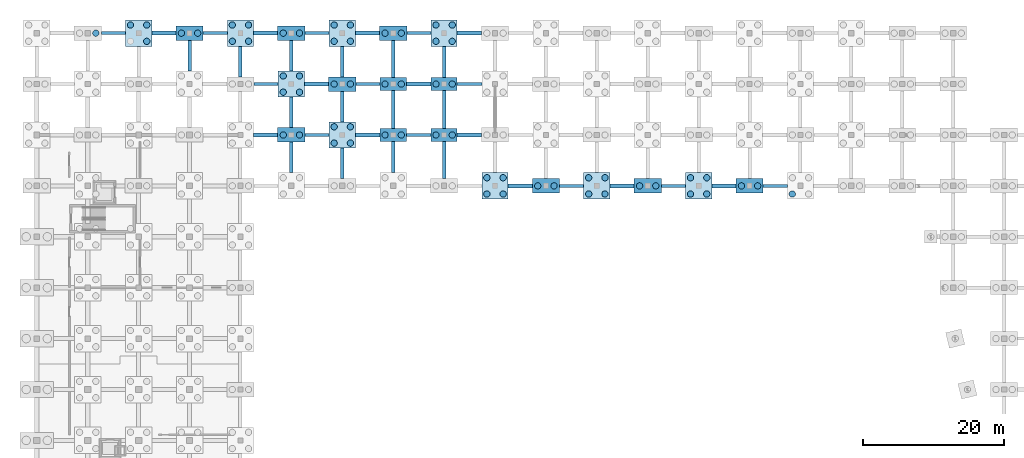
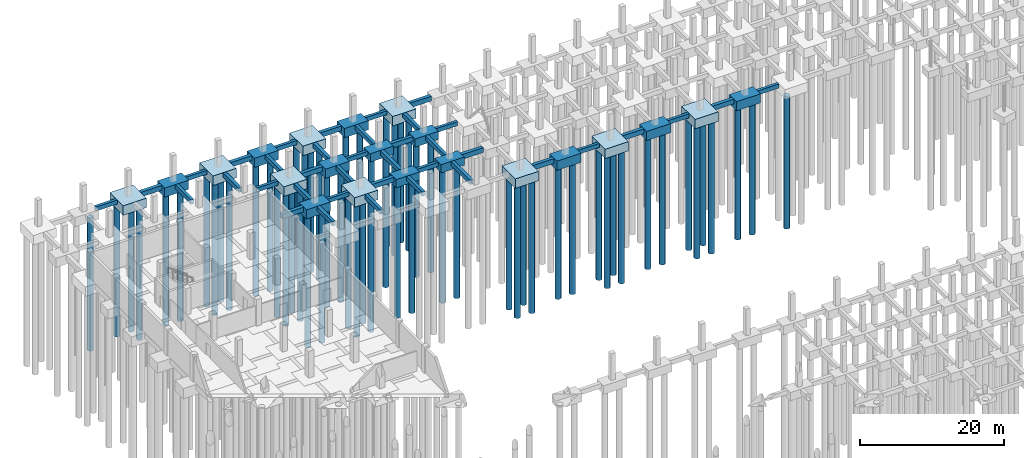
# One storey, part 8 of 36: 61 piles, 59 footings.
"""IFC4 building model written with IfcOpenShell, lengths in metres."""

from ifc_helpers import new_model, si_unit, direction, frame, origin, origin_2d, place, context, subcontext, project, spatial, rectangle, circle, extrude, material, material_profile, profile_set, type_object, element, save


model = new_model("IFC4")

# Units and contexts
model_context = context("Model", 3, precision=1e-05, world=origin(), true_north=direction((0.0, 1.0)))
body_context = subcontext(model_context, "Body", "Model", "MODEL_VIEW")
ifc_project = project(units=[si_unit("LENGTHUNIT", "METRE"), si_unit("AREAUNIT", "SQUARE_METRE"), si_unit("VOLUMEUNIT", "CUBIC_METRE"), si_unit("PLANEANGLEUNIT", "RADIAN"), si_unit("MASSUNIT", "GRAM", prefix="KILO")], contexts=[model_context])

# Site, building, storey
site_placement = place(None, origin())
site = spatial("IfcSite", under=ifc_project, at=site_placement, CompositionType="ELEMENT")
building_placement = place(site_placement, origin())
building = spatial("IfcBuilding", under=site, at=building_placement, Name="Kalmorath City Hall", CompositionType="ELEMENT")
storey_placement = place(building_placement, frame((0.0, 0.0, -4.5)))
storey = spatial("IfcBuildingStorey", under=building, at=storey_placement, Name="B1", CompositionType="ELEMENT", Elevation=-4.5)

# Piles
ifc_material_1 = material(Name="Concrete C40/50", Category="concrete")
ifc_material_profile_1 = material_profile(ifc_material_1, circle(Radius=0.449951171875, at=origin_2d()), Name="PILE-D900")
ifc_profile_set_1 = profile_set([ifc_material_profile_1], Name="Concrete C40/50")
pile_type = type_object("IfcPileType", Name="Bored concrete pile D900", PredefinedType="BORED", material=ifc_profile_set_1)
pile_1_placement = place(storey_placement, frame((8.35009765625, 115.199951171875, -1.449951171875), z_axis=(0.0, 0.0, -1.0), x_axis=(1.0, 0.0, 0.0)))
element("IfcPile", 1, at=pile_1_placement, inside=storey, type_object=pile_type, Name="Bored pile PL-900 2.17.2", PredefinedType="BORED", context=body_context, shape_type="SweptSolid", body=[
    extrude(circle(Radius=0.449951171875, at=origin_2d()), origin(), (0.0, 0.0, 1.0), 22.550048828125),
])
for number, where, z_axis, x_axis, name in (
    (2, (15.550048828125, 114.050048828125, -1.5), (0.0, 0.0, -1.0), (1.0, 0.0, 0.0), "Bored pile PL-900 3.17.2"),
    (3, (13.25, 116.35009765625, -1.5), (0.0, 0.0, -1.0), (1.0, 0.0, 0.0), "Bored pile PL-900 3.17.3"),
    (4, (15.550048828125, 116.35009765625, -1.5), (0.0, 0.0, -1.0), (1.0, 0.0, 0.0), "Bored pile PL-900 3.17.4"),
):
    element("IfcPile", number, at=place(storey_placement, frame(where, z_axis=z_axis, x_axis=x_axis)), inside=storey, type_object=pile_type, Name=name, PredefinedType="BORED", context=body_context, shape_type="SweptSolid", body=[
        extrude(circle(Radius=0.449951171875, at=origin_2d()), origin(), (0.0, 0.0, 1.0), 22.5),
    ])
for number, where, z_axis, x_axis, name in (
    (5, (20.449951171875, 115.199951171875, -1.449951171875), (0.0, 0.0, -1.0), (1.0, 0.0, 0.0), "Bored pile PL-900 4.17.1"),
    (6, (22.75, 115.199951171875, -1.449951171875), (0.0, 0.0, -1.0), (1.0, 0.0, 0.0), "Bored pile PL-900 4.17.2"),
):
    element("IfcPile", number, at=place(storey_placement, frame(where, z_axis=z_axis, x_axis=x_axis)), inside=storey, type_object=pile_type, Name=name, PredefinedType="BORED", context=body_context, shape_type="SweptSolid", body=[
        extrude(circle(Radius=0.449951171875, at=origin_2d()), origin(), (0.0, 0.0, 1.0), 22.550048828125),
    ])
for number, where, z_axis, x_axis, name in (
    (7, (27.64990234375, 114.050048828125, -1.5), (0.0, 0.0, -1.0), (1.0, 0.0, 0.0), "Bored pile PL-900 5.17.1"),
    (8, (29.949951171875, 114.050048828125, -1.5), (0.0, 0.0, -1.0), (1.0, 0.0, 0.0), "Bored pile PL-900 5.17.2"),
    (9, (27.64990234375, 116.35009765625, -1.5), (0.0, 0.0, -1.0), (1.0, 0.0, 0.0), "Bored pile PL-900 5.17.3"),
    (10, (29.949951171875, 116.35009765625, -1.5), (0.0, 0.0, -1.0), (1.0, 0.0, 0.0), "Bored pile PL-900 5.17.4"),
):
    element("IfcPile", number, at=place(storey_placement, frame(where, z_axis=z_axis, x_axis=x_axis)), inside=storey, type_object=pile_type, Name=name, PredefinedType="BORED", context=body_context, shape_type="SweptSolid", body=[
        extrude(circle(Radius=0.449951171875, at=origin_2d()), origin(), (0.0, 0.0, 1.0), 22.5),
    ])
for number, where, z_axis, x_axis, name in (
    (11, (34.85009765625, 100.800048828125, -1.449951171875), (0.0, 0.0, -1.0), (1.0, 0.0, 0.0), "Bored pile PL-900 6.15.1"),
    (12, (37.14990234375, 100.800048828125, -1.449951171875), (0.0, 0.0, -1.0), (1.0, 0.0, 0.0), "Bored pile PL-900 6.15.2"),
):
    element("IfcPile", number, at=place(storey_placement, frame(where, z_axis=z_axis, x_axis=x_axis)), inside=storey, type_object=pile_type, Name=name, PredefinedType="BORED", context=body_context, shape_type="SweptSolid", body=[
        extrude(circle(Radius=0.449951171875, at=origin_2d()), origin(), (0.0, 0.0, 1.0), 22.550048828125),
    ])
for number, where, z_axis, x_axis, name in (
    (13, (34.85009765625, 106.85009765625, -1.5), (0.0, 0.0, -1.0), (1.0, 0.0, 0.0), "Bored pile PL-900 6.16.1"),
    (14, (37.14990234375, 106.85009765625, -1.5), (0.0, 0.0, -1.0), (1.0, 0.0, 0.0), "Bored pile PL-900 6.16.2"),
    (15, (34.85009765625, 109.14990234375, -1.5), (0.0, 0.0, -1.0), (1.0, 0.0, 0.0), "Bored pile PL-900 6.16.3"),
    (16, (37.14990234375, 109.14990234375, -1.5), (0.0, 0.0, -1.0), (1.0, 0.0, 0.0), "Bored pile PL-900 6.16.4"),
):
    element("IfcPile", number, at=place(storey_placement, frame(where, z_axis=z_axis, x_axis=x_axis)), inside=storey, type_object=pile_type, Name=name, PredefinedType="BORED", context=body_context, shape_type="SweptSolid", body=[
        extrude(circle(Radius=0.449951171875, at=origin_2d()), origin(), (0.0, 0.0, 1.0), 22.5),
    ])
for number, where, z_axis, x_axis, name in (
    (17, (34.85009765625, 115.199951171875, -1.449951171875), (0.0, 0.0, -1.0), (1.0, 0.0, 0.0), "Bored pile PL-900 6.17.1"),
    (18, (37.14990234375, 115.199951171875, -1.449951171875), (0.0, 0.0, -1.0), (1.0, 0.0, 0.0), "Bored pile PL-900 6.17.2"),
):
    element("IfcPile", number, at=place(storey_placement, frame(where, z_axis=z_axis, x_axis=x_axis)), inside=storey, type_object=pile_type, Name=name, PredefinedType="BORED", context=body_context, shape_type="SweptSolid", body=[
        extrude(circle(Radius=0.449951171875, at=origin_2d()), origin(), (0.0, 0.0, 1.0), 22.550048828125),
    ])
for number, where, z_axis, x_axis, name in (
    (19, (42.050048828125, 99.64990234375, -1.5), (0.0, 0.0, -1.0), (1.0, 0.0, 0.0), "Bored pile PL-900 7.15.1"),
    (20, (44.35009765625, 99.64990234375, -1.5), (0.0, 0.0, -1.0), (1.0, 0.0, 0.0), "Bored pile PL-900 7.15.2"),
    (21, (42.050048828125, 101.949951171875, -1.5), (0.0, 0.0, -1.0), (1.0, 0.0, 0.0), "Bored pile PL-900 7.15.3"),
    (22, (44.35009765625, 101.949951171875, -1.5), (0.0, 0.0, -1.0), (1.0, 0.0, 0.0), "Bored pile PL-900 7.15.4"),
):
    element("IfcPile", number, at=place(storey_placement, frame(where, z_axis=z_axis, x_axis=x_axis)), inside=storey, type_object=pile_type, Name=name, PredefinedType="BORED", context=body_context, shape_type="SweptSolid", body=[
        extrude(circle(Radius=0.449951171875, at=origin_2d()), origin(), (0.0, 0.0, 1.0), 22.5),
    ])
for number, where, z_axis, x_axis, name in (
    (23, (42.050048828125, 108.0, -1.449951171875), (0.0, 0.0, -1.0), (1.0, 0.0, 0.0), "Bored pile PL-900 7.16.1"),
    (24, (44.35009765625, 108.0, -1.449951171875), (0.0, 0.0, -1.0), (1.0, 0.0, 0.0), "Bored pile PL-900 7.16.2"),
):
    element("IfcPile", number, at=place(storey_placement, frame(where, z_axis=z_axis, x_axis=x_axis)), inside=storey, type_object=pile_type, Name=name, PredefinedType="BORED", context=body_context, shape_type="SweptSolid", body=[
        extrude(circle(Radius=0.449951171875, at=origin_2d()), origin(), (0.0, 0.0, 1.0), 22.550048828125),
    ])
for number, where, z_axis, x_axis, name in (
    (25, (42.050048828125, 114.050048828125, -1.5), (0.0, 0.0, -1.0), (1.0, 0.0, 0.0), "Bored pile PL-900 7.17.1"),
    (26, (44.35009765625, 114.050048828125, -1.5), (0.0, 0.0, -1.0), (1.0, 0.0, 0.0), "Bored pile PL-900 7.17.2"),
    (27, (42.050048828125, 116.35009765625, -1.5), (0.0, 0.0, -1.0), (1.0, 0.0, 0.0), "Bored pile PL-900 7.17.3"),
    (28, (44.35009765625, 116.35009765625, -1.5), (0.0, 0.0, -1.0), (1.0, 0.0, 0.0), "Bored pile PL-900 7.17.4"),
):
    element("IfcPile", number, at=place(storey_placement, frame(where, z_axis=z_axis, x_axis=x_axis)), inside=storey, type_object=pile_type, Name=name, PredefinedType="BORED", context=body_context, shape_type="SweptSolid", body=[
        extrude(circle(Radius=0.449951171875, at=origin_2d()), origin(), (0.0, 0.0, 1.0), 22.5),
    ])
for number, where, z_axis, x_axis, name in (
    (29, (49.25, 100.800048828125, -1.300048828125), (0.0, 0.0, -1.0), (1.0, 0.0, 0.0), "Bored pile PL-900 8.15.1"),
    (30, (51.550048828125, 100.800048828125, -1.300048828125), (0.0, 0.0, -1.0), (1.0, 0.0, 0.0), "Bored pile PL-900 8.15.2"),
    (31, (49.25, 108.0, -1.300048828125), (0.0, 0.0, -1.0), (1.0, 0.0, 0.0), "Bored pile PL-900 8.16.1"),
    (32, (51.550048828125, 108.0, -1.300048828125), (0.0, 0.0, -1.0), (1.0, 0.0, 0.0), "Bored pile PL-900 8.16.2"),
):
    element("IfcPile", number, at=place(storey_placement, frame(where, z_axis=z_axis, x_axis=x_axis)), inside=storey, type_object=pile_type, Name=name, PredefinedType="BORED", context=body_context, shape_type="SweptSolid", body=[
        extrude(circle(Radius=0.449951171875, at=origin_2d()), origin(), (0.0, 0.0, 1.0), 22.699951171875),
    ])
for number, where, z_axis, x_axis, name in (
    (33, (49.25, 115.199951171875, -1.449951171875), (0.0, 0.0, -1.0), (1.0, 0.0, 0.0), "Bored pile PL-900 8.17.1"),
    (34, (51.550048828125, 115.199951171875, -1.449951171875), (0.0, 0.0, -1.0), (1.0, 0.0, 0.0), "Bored pile PL-900 8.17.2"),
):
    element("IfcPile", number, at=place(storey_placement, frame(where, z_axis=z_axis, x_axis=x_axis)), inside=storey, type_object=pile_type, Name=name, PredefinedType="BORED", context=body_context, shape_type="SweptSolid", body=[
        extrude(circle(Radius=0.449951171875, at=origin_2d()), origin(), (0.0, 0.0, 1.0), 22.550048828125),
    ])
for number, where, z_axis, x_axis, name in (
    (35, (56.449951171875, 100.800048828125, -1.300048828125), (0.0, 0.0, -1.0), (1.0, 0.0, 0.0), "Bored pile PL-900 9.15.1"),
    (36, (58.75, 100.800048828125, -1.300048828125), (0.0, 0.0, -1.0), (1.0, 0.0, 0.0), "Bored pile PL-900 9.15.2"),
    (37, (56.449951171875, 108.0, -1.300048828125), (0.0, 0.0, -1.0), (1.0, 0.0, 0.0), "Bored pile PL-900 9.16.1"),
    (38, (58.75, 108.0, -1.300048828125), (0.0, 0.0, -1.0), (1.0, 0.0, 0.0), "Bored pile PL-900 9.16.2"),
):
    element("IfcPile", number, at=place(storey_placement, frame(where, z_axis=z_axis, x_axis=x_axis)), inside=storey, type_object=pile_type, Name=name, PredefinedType="BORED", context=body_context, shape_type="SweptSolid", body=[
        extrude(circle(Radius=0.449951171875, at=origin_2d()), origin(), (0.0, 0.0, 1.0), 22.699951171875),
    ])
for number, where, z_axis, x_axis, name in (
    (39, (56.449951171875, 114.050048828125, -1.5), (0.0, 0.0, -1.0), (1.0, 0.0, 0.0), "Bored pile PL-900 9.17.1"),
    (40, (58.75, 114.050048828125, -1.5), (0.0, 0.0, -1.0), (1.0, 0.0, 0.0), "Bored pile PL-900 9.17.2"),
    (41, (56.449951171875, 116.35009765625, -1.5), (0.0, 0.0, -1.0), (1.0, 0.0, 0.0), "Bored pile PL-900 9.17.3"),
    (42, (58.75, 116.35009765625, -1.5), (0.0, 0.0, -1.0), (1.0, 0.0, 0.0), "Bored pile PL-900 9.17.4"),
    (43, (63.64990234375, 92.449951171875, -1.5), (0.0, 0.0, -1.0), (1.0, 0.0, 0.0), "Bored pile PL-900 10.14.1"),
    (44, (65.949951171875, 92.449951171875, -1.5), (0.0, 0.0, -1.0), (1.0, 0.0, 0.0), "Bored pile PL-900 10.14.2"),
    (45, (63.64990234375, 94.75, -1.5), (0.0, 0.0, -1.0), (1.0, 0.0, 0.0), "Bored pile PL-900 10.14.3"),
    (46, (65.949951171875, 94.75, -1.5), (0.0, 0.0, -1.0), (1.0, 0.0, 0.0), "Bored pile PL-900 10.14.4"),
):
    element("IfcPile", number, at=place(storey_placement, frame(where, z_axis=z_axis, x_axis=x_axis)), inside=storey, type_object=pile_type, Name=name, PredefinedType="BORED", context=body_context, shape_type="SweptSolid", body=[
        extrude(circle(Radius=0.449951171875, at=origin_2d()), origin(), (0.0, 0.0, 1.0), 22.5),
    ])
for number, where, z_axis, x_axis, name in (
    (47, (70.85009765625, 93.60009765625, -1.449951171875), (0.0, 0.0, -1.0), (1.0, 0.0, 0.0), "Bored pile PL-900 11.14.1"),
    (48, (73.14990234375, 93.60009765625, -1.449951171875), (0.0, 0.0, -1.0), (1.0, 0.0, 0.0), "Bored pile PL-900 11.14.2"),
):
    element("IfcPile", number, at=place(storey_placement, frame(where, z_axis=z_axis, x_axis=x_axis)), inside=storey, type_object=pile_type, Name=name, PredefinedType="BORED", context=body_context, shape_type="SweptSolid", body=[
        extrude(circle(Radius=0.449951171875, at=origin_2d()), origin(), (0.0, 0.0, 1.0), 22.550048828125),
    ])
for number, where, z_axis, x_axis, name in (
    (49, (78.050048828125, 92.449951171875, -1.5), (0.0, 0.0, -1.0), (1.0, 0.0, 0.0), "Bored pile PL-900 12.14.1"),
    (50, (80.35009765625, 92.449951171875, -1.5), (0.0, 0.0, -1.0), (1.0, 0.0, 0.0), "Bored pile PL-900 12.14.2"),
    (51, (78.050048828125, 94.75, -1.5), (0.0, 0.0, -1.0), (1.0, 0.0, 0.0), "Bored pile PL-900 12.14.3"),
    (52, (80.35009765625, 94.75, -1.5), (0.0, 0.0, -1.0), (1.0, 0.0, 0.0), "Bored pile PL-900 12.14.4"),
):
    element("IfcPile", number, at=place(storey_placement, frame(where, z_axis=z_axis, x_axis=x_axis)), inside=storey, type_object=pile_type, Name=name, PredefinedType="BORED", context=body_context, shape_type="SweptSolid", body=[
        extrude(circle(Radius=0.449951171875, at=origin_2d()), origin(), (0.0, 0.0, 1.0), 22.5),
    ])
for number, where, z_axis, x_axis, name in (
    (53, (85.25, 93.60009765625, -1.449951171875), (0.0, 0.0, -1.0), (1.0, 0.0, 0.0), "Bored pile PL-900 13.14.1"),
    (54, (87.550048828125, 93.60009765625, -1.449951171875), (0.0, 0.0, -1.0), (1.0, 0.0, 0.0), "Bored pile PL-900 13.14.2"),
):
    element("IfcPile", number, at=place(storey_placement, frame(where, z_axis=z_axis, x_axis=x_axis)), inside=storey, type_object=pile_type, Name=name, PredefinedType="BORED", context=body_context, shape_type="SweptSolid", body=[
        extrude(circle(Radius=0.449951171875, at=origin_2d()), origin(), (0.0, 0.0, 1.0), 22.550048828125),
    ])
for number, where, z_axis, x_axis, name in (
    (55, (92.449951171875, 92.449951171875, -1.5), (0.0, 0.0, -1.0), (1.0, 0.0, 0.0), "Bored pile PL-900 14.14.1"),
    (56, (94.75, 92.449951171875, -1.5), (0.0, 0.0, -1.0), (1.0, 0.0, 0.0), "Bored pile PL-900 14.14.2"),
    (57, (92.449951171875, 94.75, -1.5), (0.0, 0.0, -1.0), (1.0, 0.0, 0.0), "Bored pile PL-900 14.14.3"),
    (58, (94.75, 94.75, -1.5), (0.0, 0.0, -1.0), (1.0, 0.0, 0.0), "Bored pile PL-900 14.14.4"),
):
    element("IfcPile", number, at=place(storey_placement, frame(where, z_axis=z_axis, x_axis=x_axis)), inside=storey, type_object=pile_type, Name=name, PredefinedType="BORED", context=body_context, shape_type="SweptSolid", body=[
        extrude(circle(Radius=0.449951171875, at=origin_2d()), origin(), (0.0, 0.0, 1.0), 22.5),
    ])
for number, where, z_axis, x_axis, name in (
    (59, (99.64990234375, 93.60009765625, -1.449951171875), (0.0, 0.0, -1.0), (1.0, 0.0, 0.0), "Bored pile PL-900 15.14.1"),
    (60, (101.949951171875, 93.60009765625, -1.449951171875), (0.0, 0.0, -1.0), (1.0, 0.0, 0.0), "Bored pile PL-900 15.14.2"),
):
    element("IfcPile", number, at=place(storey_placement, frame(where, z_axis=z_axis, x_axis=x_axis)), inside=storey, type_object=pile_type, Name=name, PredefinedType="BORED", context=body_context, shape_type="SweptSolid", body=[
        extrude(circle(Radius=0.449951171875, at=origin_2d()), origin(), (0.0, 0.0, 1.0), 22.550048828125),
    ])
pile_2_placement = place(storey_placement, frame((106.85009765625, 92.449951171875, -1.5), z_axis=(0.0, 0.0, -1.0), x_axis=(1.0, 0.0, 0.0)))
element("IfcPile", 61, at=pile_2_placement, inside=storey, type_object=pile_type, Name="Bored pile PL-900 16.14.1", PredefinedType="BORED", context=body_context, shape_type="SweptSolid", body=[
    extrude(circle(Radius=0.449951171875, at=origin_2d()), origin(), (0.0, 0.0, 1.0), 22.5),
])

# Footings
ifc_material_2 = material(Name="Concrete C40/50", Category="concrete")
ifc_material_profile_2 = material_profile(ifc_material_2, rectangle(XDim=0.449951171875, YDim=0.699951171875, at=origin_2d()), Name="RC-BM-450X700")
ifc_profile_set_2 = profile_set([ifc_material_profile_2], Name="Concrete C40/50")
footing_type_1 = type_object("IfcFootingType", Name="Concrete ground tie beam 450x700", PredefinedType="FOOTING_BEAM", material=ifc_profile_set_2)
for number, where, z_axis, x_axis, name in (
    (62, (9.125, 115.199951171875, -0.35009765625), (1.0, 0.0, 0.0), (0.0, 1.0, 0.0), "Ground tie beam GB4 X2-17"),
    (63, (23.52490234375, 115.199951171875, -0.35009765625), (1.0, 0.0, 0.0), (0.0, 1.0, 0.0), "Ground tie beam GB4 X4-17"),
):
    element("IfcFooting", number, at=place(storey_placement, frame(where, z_axis=z_axis, x_axis=x_axis)), inside=storey, type_object=footing_type_1, Name=name, PredefinedType="FOOTING_BEAM", context=body_context, shape_type="SweptSolid", body=[
        extrude(rectangle(XDim=0.449951171875, YDim=0.699951171875, at=origin_2d()), origin(), (0.0, 0.0, 1.0), 3.4150390625),
    ])
footing_1_placement = place(storey_placement, frame((30.72509765625, 108.0, -0.35009765625), z_axis=(1.0, 0.0, 0.0), x_axis=(0.0, 1.0, 0.0)))
element("IfcFooting", 64, at=footing_1_placement, inside=storey, type_object=footing_type_1, Name="Ground tie beam GB4 X5-16", PredefinedType="FOOTING_BEAM", context=body_context, shape_type="SweptSolid", body=[
    extrude(rectangle(XDim=0.449951171875, YDim=0.699951171875, at=origin_2d()), origin(), (0.0, 0.0, 1.0), 3.414794921875),
])
for number, where, z_axis, x_axis, name in (
    (65, (37.925048828125, 100.800048828125, -0.35009765625), (1.0, 0.0, 0.0), (0.0, 1.0, 0.0), "Ground tie beam GB4 X6-15"),
    (66, (37.925048828125, 115.199951171875, -0.35009765625), (1.0, 0.0, 0.0), (0.0, 1.0, 0.0), "Ground tie beam GB4 X6-17"),
    (67, (45.125, 108.0, -0.35009765625), (1.0, 0.0, 0.0), (0.0, 1.0, 0.0), "Ground tie beam GB4 X7-16"),
):
    element("IfcFooting", number, at=place(storey_placement, frame(where, z_axis=z_axis, x_axis=x_axis)), inside=storey, type_object=footing_type_1, Name=name, PredefinedType="FOOTING_BEAM", context=body_context, shape_type="SweptSolid", body=[
        extrude(rectangle(XDim=0.449951171875, YDim=0.699951171875, at=origin_2d()), origin(), (0.0, 0.0, 1.0), 3.4150390625),
    ])
footing_2_placement = place(storey_placement, frame((52.260009765625, 100.800048828125, -0.35009765625), z_axis=(1.0, 0.0, 0.0), x_axis=(0.0, 1.0, 0.0)))
element("IfcFooting", 68, at=footing_2_placement, inside=storey, type_object=footing_type_1, Name="Ground tie beam GB4 X8-15", PredefinedType="FOOTING_BEAM", context=body_context, shape_type="SweptSolid", body=[
    extrude(rectangle(XDim=0.449951171875, YDim=0.699951171875, at=origin_2d()), origin(), (0.0, 0.0, 1.0), 3.47998046875),
])
footing_3_placement = place(storey_placement, frame((52.324951171875, 115.199951171875, -0.35009765625), z_axis=(1.0, 0.0, 0.0), x_axis=(0.0, 1.0, 0.0)))
element("IfcFooting", 69, at=footing_3_placement, inside=storey, type_object=footing_type_1, Name="Ground tie beam GB4 X8-17", PredefinedType="FOOTING_BEAM", context=body_context, shape_type="SweptSolid", body=[
    extrude(rectangle(XDim=0.449951171875, YDim=0.699951171875, at=origin_2d()), origin(), (0.0, 0.0, 1.0), 3.4150390625),
])
footing_4_placement = place(storey_placement, frame((59.4599609375, 108.0, -0.35009765625), z_axis=(1.0, 0.0, 0.0), x_axis=(0.0, 1.0, 0.0)))
element("IfcFooting", 70, at=footing_4_placement, inside=storey, type_object=footing_type_1, Name="Ground tie beam GB4 X9-16", PredefinedType="FOOTING_BEAM", context=body_context, shape_type="SweptSolid", body=[
    extrude(rectangle(XDim=0.449951171875, YDim=0.699951171875, at=origin_2d()), origin(), (0.0, 0.0, 1.0), 3.47998046875),
])
for number, where, z_axis, x_axis, name in (
    (71, (73.925048828125, 93.60009765625, -0.35009765625), (1.0, 0.0, 0.0), (0.0, 1.0, 0.0), "Ground tie beam GB4 X11-14"),
    (72, (88.324951171875, 93.60009765625, -0.35009765625), (1.0, 0.0, 0.0), (0.0, 1.0, 0.0), "Ground tie beam GB4 X13-14"),
):
    element("IfcFooting", number, at=place(storey_placement, frame(where, z_axis=z_axis, x_axis=x_axis)), inside=storey, type_object=footing_type_1, Name=name, PredefinedType="FOOTING_BEAM", context=body_context, shape_type="SweptSolid", body=[
        extrude(rectangle(XDim=0.449951171875, YDim=0.699951171875, at=origin_2d()), origin(), (0.0, 0.0, 1.0), 3.4150390625),
    ])
footing_5_placement = place(storey_placement, frame((102.72509765625, 93.60009765625, -0.35009765625), z_axis=(1.0, 0.0, 0.0), x_axis=(0.0, 1.0, 0.0)))
element("IfcFooting", 73, at=footing_5_placement, inside=storey, type_object=footing_type_1, Name="Ground tie beam GB4 X15-14", PredefinedType="FOOTING_BEAM", context=body_context, shape_type="SweptSolid", body=[
    extrude(rectangle(XDim=0.449951171875, YDim=0.699951171875, at=origin_2d()), origin(), (0.0, 0.0, 1.0), 3.414794921875),
])
ifc_material_3 = material(Name="Concrete C40/50", Category="concrete")
ifc_material_profile_3 = material_profile(ifc_material_3, rectangle(XDim=0.5, YDim=0.75, at=origin_2d()), Name="RC-BM-500X750")
ifc_profile_set_3 = profile_set([ifc_material_profile_3], Name="Concrete C40/50")
footing_type_2 = type_object("IfcFootingType", Name="Concrete ground tie beam 500x750", PredefinedType="FOOTING_BEAM", material=ifc_profile_set_3)
footing_6_placement = place(storey_placement, frame((21.60009765625, 109.860107421875, -0.375), z_axis=(0.0, 1.0, 0.0), x_axis=(-1.0, 0.0, 0.0)))
element("IfcFooting", 74, at=footing_6_placement, inside=storey, type_object=footing_type_2, Name="Ground tie beam GB3 Y4-16", PredefinedType="FOOTING_BEAM", context=body_context, shape_type="SweptSolid", body=[
    extrude(rectangle(XDim=0.5, YDim=0.75, at=origin_2d()), origin(), (0.0, 0.0, 1.0), 4.31494140625),
])
footing_7_placement = place(storey_placement, frame((28.800048828125, 109.02490234375, -0.375), z_axis=(0.0, 1.0, 0.0), x_axis=(-1.0, 0.0, 0.0)))
element("IfcFooting", 75, at=footing_7_placement, inside=storey, type_object=footing_type_2, Name="Ground tie beam GB3 Y5-16", PredefinedType="FOOTING_BEAM", context=body_context, shape_type="SweptSolid", body=[
    extrude(rectangle(XDim=0.5, YDim=0.75, at=origin_2d()), origin(), (0.0, 0.0, 1.0), 4.315185546875),
])
for number, where, z_axis, x_axis, name in (
    (76, (36.0, 95.4599609375, -0.375), (0.0, 1.0, 0.0), (-1.0, 0.0, 0.0), "Ground tie beam GB3 Y6-14"),
    (77, (36.0, 101.824951171875, -0.375), (0.0, 1.0, 0.0), (-1.0, 0.0, 0.0), "Ground tie beam GB3 Y6-15"),
    (78, (36.0, 109.860107421875, -0.375), (0.0, 1.0, 0.0), (-1.0, 0.0, 0.0), "Ground tie beam GB3 Y6-16"),
    (79, (43.199951171875, 94.625, -0.375), (0.0, 1.0, 0.0), (-1.0, 0.0, 0.0), "Ground tie beam GB3 Y7-14"),
):
    element("IfcFooting", number, at=place(storey_placement, frame(where, z_axis=z_axis, x_axis=x_axis)), inside=storey, type_object=footing_type_2, Name=name, PredefinedType="FOOTING_BEAM", context=body_context, shape_type="SweptSolid", body=[
        extrude(rectangle(XDim=0.5, YDim=0.75, at=origin_2d()), origin(), (0.0, 0.0, 1.0), 4.31494140625),
    ])
for number, where, z_axis, x_axis, name in (
    (80, (43.199951171875, 102.659912109375, -0.375), (0.0, 1.0, 0.0), (-1.0, 0.0, 0.0), "Ground tie beam GB3 Y7-15"),
    (81, (43.199951171875, 109.02490234375, -0.375), (0.0, 1.0, 0.0), (-1.0, 0.0, 0.0), "Ground tie beam GB3 Y7-16"),
):
    element("IfcFooting", number, at=place(storey_placement, frame(where, z_axis=z_axis, x_axis=x_axis)), inside=storey, type_object=footing_type_2, Name=name, PredefinedType="FOOTING_BEAM", context=body_context, shape_type="SweptSolid", body=[
        extrude(rectangle(XDim=0.5, YDim=0.75, at=origin_2d()), origin(), (0.0, 0.0, 1.0), 4.315185546875),
    ])
footing_8_placement = place(storey_placement, frame((50.39990234375, 95.4599609375, -0.375), z_axis=(0.0, 1.0, 0.0), x_axis=(-1.0, 0.0, 0.0)))
element("IfcFooting", 82, at=footing_8_placement, inside=storey, type_object=footing_type_2, Name="Ground tie beam GB3 Y8-14", PredefinedType="FOOTING_BEAM", context=body_context, shape_type="SweptSolid", body=[
    extrude(rectangle(XDim=0.5, YDim=0.75, at=origin_2d()), origin(), (0.0, 0.0, 1.0), 4.429931640625),
])
footing_9_placement = place(storey_placement, frame((50.39990234375, 101.7099609375, -0.375), z_axis=(0.0, 1.0, 0.0), x_axis=(-1.0, 0.0, 0.0)))
element("IfcFooting", 83, at=footing_9_placement, inside=storey, type_object=footing_type_2, Name="Ground tie beam GB3 Y8-15", PredefinedType="FOOTING_BEAM", context=body_context, shape_type="SweptSolid", body=[
    extrude(rectangle(XDim=0.5, YDim=0.75, at=origin_2d()), origin(), (0.0, 0.0, 1.0), 5.380126953125),
])
footing_10_placement = place(storey_placement, frame((50.39990234375, 108.909912109375, -0.375), z_axis=(0.0, 1.0, 0.0), x_axis=(-1.0, 0.0, 0.0)))
element("IfcFooting", 84, at=footing_10_placement, inside=storey, type_object=footing_type_2, Name="Ground tie beam GB3 Y8-16", PredefinedType="FOOTING_BEAM", context=body_context, shape_type="SweptSolid", body=[
    extrude(rectangle(XDim=0.5, YDim=0.75, at=origin_2d()), origin(), (0.0, 0.0, 1.0), 5.26513671875),
])
footing_11_placement = place(storey_placement, frame((57.60009765625, 94.625, -0.375), z_axis=(0.0, 1.0, 0.0), x_axis=(-1.0, 0.0, 0.0)))
element("IfcFooting", 85, at=footing_11_placement, inside=storey, type_object=footing_type_2, Name="Ground tie beam GB3 Y9-14", PredefinedType="FOOTING_BEAM", context=body_context, shape_type="SweptSolid", body=[
    extrude(rectangle(XDim=0.5, YDim=0.75, at=origin_2d()), origin(), (0.0, 0.0, 1.0), 5.264892578125),
])
footing_12_placement = place(storey_placement, frame((57.60009765625, 101.7099609375, -0.375), z_axis=(0.0, 1.0, 0.0), x_axis=(-1.0, 0.0, 0.0)))
element("IfcFooting", 86, at=footing_12_placement, inside=storey, type_object=footing_type_2, Name="Ground tie beam GB3 Y9-15", PredefinedType="FOOTING_BEAM", context=body_context, shape_type="SweptSolid", body=[
    extrude(rectangle(XDim=0.5, YDim=0.75, at=origin_2d()), origin(), (0.0, 0.0, 1.0), 5.380126953125),
])
footing_13_placement = place(storey_placement, frame((57.60009765625, 108.909912109375, -0.375), z_axis=(0.0, 1.0, 0.0), x_axis=(-1.0, 0.0, 0.0)))
element("IfcFooting", 87, at=footing_13_placement, inside=storey, type_object=footing_type_2, Name="Ground tie beam GB3 Y9-16", PredefinedType="FOOTING_BEAM", context=body_context, shape_type="SweptSolid", body=[
    extrude(rectangle(XDim=0.5, YDim=0.75, at=origin_2d()), origin(), (0.0, 0.0, 1.0), 4.43017578125),
])
ifc_material_4 = material(Name="Concrete C40/50", Category="concrete")
ifc_material_profile_4 = material_profile(ifc_material_4, rectangle(XDim=0.550048828125, YDim=0.800048828125, at=origin_2d()), Name="RC-BM-550X800")
ifc_profile_set_4 = profile_set([ifc_material_profile_4], Name="Concrete C40/50")
footing_type_3 = type_object("IfcFootingType", Name="Concrete ground tie beam 550x800", PredefinedType="FOOTING_BEAM", material=ifc_profile_set_4)
for number, where, z_axis, x_axis, name in (
    (88, (16.260009765625, 115.199951171875, -0.39990234375), (1.0, 0.0, 0.0), (0.0, 1.0, 0.0), "Ground tie beam GB2 X3-17"),
    (89, (30.659912109375, 100.800048828125, -0.39990234375), (1.0, 0.0, 0.0), (0.0, 1.0, 0.0), "Ground tie beam GB2 X5-15"),
    (90, (30.659912109375, 115.199951171875, -0.39990234375), (1.0, 0.0, 0.0), (0.0, 1.0, 0.0), "Ground tie beam GB2 X5-17"),
):
    element("IfcFooting", number, at=place(storey_placement, frame(where, z_axis=z_axis, x_axis=x_axis)), inside=storey, type_object=footing_type_3, Name=name, PredefinedType="FOOTING_BEAM", context=body_context, shape_type="SweptSolid", body=[
        extrude(rectangle(XDim=0.550048828125, YDim=0.800048828125, at=origin_2d()), origin(), (0.0, 0.0, 1.0), 3.4150390625),
    ])
footing_14_placement = place(storey_placement, frame((37.860107421875, 108.0, -0.39990234375), z_axis=(1.0, 0.0, 0.0), x_axis=(0.0, 1.0, 0.0)))
element("IfcFooting", 91, at=footing_14_placement, inside=storey, type_object=footing_type_3, Name="Ground tie beam GB2 X6-16", PredefinedType="FOOTING_BEAM", context=body_context, shape_type="SweptSolid", body=[
    extrude(rectangle(XDim=0.550048828125, YDim=0.800048828125, at=origin_2d()), origin(), (0.0, 0.0, 1.0), 3.414794921875),
])
footing_15_placement = place(storey_placement, frame((45.06005859375, 100.800048828125, -0.39990234375), z_axis=(1.0, 0.0, 0.0), x_axis=(0.0, 1.0, 0.0)))
element("IfcFooting", 92, at=footing_15_placement, inside=storey, type_object=footing_type_3, Name="Ground tie beam GB2 X7-15", PredefinedType="FOOTING_BEAM", context=body_context, shape_type="SweptSolid", body=[
    extrude(rectangle(XDim=0.550048828125, YDim=0.800048828125, at=origin_2d()), origin(), (0.0, 0.0, 1.0), 3.47998046875),
])
footing_16_placement = place(storey_placement, frame((45.06005859375, 115.199951171875, -0.39990234375), z_axis=(1.0, 0.0, 0.0), x_axis=(0.0, 1.0, 0.0)))
element("IfcFooting", 93, at=footing_16_placement, inside=storey, type_object=footing_type_3, Name="Ground tie beam GB2 X7-17", PredefinedType="FOOTING_BEAM", context=body_context, shape_type="SweptSolid", body=[
    extrude(rectangle(XDim=0.550048828125, YDim=0.800048828125, at=origin_2d()), origin(), (0.0, 0.0, 1.0), 3.4150390625),
])
footing_17_placement = place(storey_placement, frame((52.260009765625, 108.0, -0.39990234375), z_axis=(1.0, 0.0, 0.0), x_axis=(0.0, 1.0, 0.0)))
element("IfcFooting", 94, at=footing_17_placement, inside=storey, type_object=footing_type_3, Name="Ground tie beam GB2 X8-16", PredefinedType="FOOTING_BEAM", context=body_context, shape_type="SweptSolid", body=[
    extrude(rectangle(XDim=0.550048828125, YDim=0.800048828125, at=origin_2d()), origin(), (0.0, 0.0, 1.0), 3.47998046875),
])
for number, where, z_axis, x_axis, name in (
    (95, (59.4599609375, 100.800048828125, -0.39990234375), (1.0, 0.0, 0.0), (0.0, 1.0, 0.0), "Ground tie beam GB2 X9-15"),
    (96, (59.4599609375, 115.199951171875, -0.39990234375), (1.0, 0.0, 0.0), (0.0, 1.0, 0.0), "Ground tie beam GB2 X9-17"),
    (97, (66.659912109375, 93.60009765625, -0.39990234375), (1.0, 0.0, 0.0), (0.0, 1.0, 0.0), "Ground tie beam GB2 X10-14"),
    (98, (81.06005859375, 93.60009765625, -0.39990234375), (1.0, 0.0, 0.0), (0.0, 1.0, 0.0), "Ground tie beam GB2 X12-14"),
    (99, (95.4599609375, 93.60009765625, -0.39990234375), (1.0, 0.0, 0.0), (0.0, 1.0, 0.0), "Ground tie beam GB2 X14-14"),
):
    element("IfcFooting", number, at=place(storey_placement, frame(where, z_axis=z_axis, x_axis=x_axis)), inside=storey, type_object=footing_type_3, Name=name, PredefinedType="FOOTING_BEAM", context=body_context, shape_type="SweptSolid", body=[
        extrude(rectangle(XDim=0.550048828125, YDim=0.800048828125, at=origin_2d()), origin(), (0.0, 0.0, 1.0), 3.4150390625),
    ])
ifc_material_5 = material(Name="Concrete C40/50", Category="concrete")
footing_type_4 = type_object("IfcFootingType", Name="Four-pile concrete cap 3720x3720x1600", PredefinedType="PILE_CAP", material=ifc_material_5)
for number, where, z_axis, x_axis, name in (
    (100, (14.39990234375, 115.199951171875, -1.60009765625), (0.0, 0.0, 1.0), (1.0, 0.0, 0.0), "Footing PC3 (3/17)"),
    (101, (28.800048828125, 115.199951171875, -1.60009765625), (0.0, 0.0, 1.0), (1.0, 0.0, 0.0), "Footing PC3 (5/17)"),
    (102, (36.0, 108.0, -1.60009765625), (0.0, 0.0, 1.0), (1.0, 0.0, 0.0), "Footing PC3 (6/16)"),
    (103, (43.199951171875, 100.800048828125, -1.60009765625), (0.0, 0.0, 1.0), (1.0, 0.0, 0.0), "Footing PC3 (7/15)"),
    (104, (43.199951171875, 115.199951171875, -1.60009765625), (0.0, 0.0, 1.0), (1.0, 0.0, 0.0), "Footing PC3 (7/17)"),
    (105, (57.60009765625, 115.199951171875, -1.60009765625), (0.0, 0.0, 1.0), (1.0, 0.0, 0.0), "Footing PC3 (9/17)"),
    (106, (64.800048828125, 93.60009765625, -1.60009765625), (0.0, 0.0, 1.0), (1.0, 0.0, 0.0), "Footing PC3 (10/14)"),
    (107, (79.199951171875, 93.60009765625, -1.60009765625), (0.0, 0.0, 1.0), (1.0, 0.0, 0.0), "Footing PC3 (12/14)"),
    (108, (93.60009765625, 93.60009765625, -1.60009765625), (0.0, 0.0, 1.0), (1.0, 0.0, 0.0), "Footing PC3 (14/14)"),
):
    element("IfcFooting", number, at=place(storey_placement, frame(where, z_axis=z_axis, x_axis=x_axis)), inside=storey, type_object=footing_type_4, Name=name, PredefinedType="PILE_CAP", context=body_context, shape_type="SweptSolid", body=[
        extrude(rectangle(XDim=3.719970703125, YDim=3.719970703125, at=origin_2d()), origin(), (0.0, 0.0, 1.0), 1.60009765625),
    ])
ifc_material_6 = material(Name="Concrete C40/50", Category="concrete")
footing_type_5 = type_object("IfcFootingType", Name="Two-pile concrete cap 3720x1820x1400", PredefinedType="PILE_CAP", material=ifc_material_6)
for number, where, z_axis, x_axis, name in (
    (109, (50.39990234375, 100.800048828125, -1.39990234375), (0.0, 0.0, 1.0), (1.0, 0.0, 0.0), "Footing PC9 (8/15)"),
    (110, (50.39990234375, 108.0, -1.39990234375), (0.0, 0.0, 1.0), (1.0, 0.0, 0.0), "Footing PC9 (8/16)"),
    (111, (57.60009765625, 100.800048828125, -1.39990234375), (0.0, 0.0, 1.0), (1.0, 0.0, 0.0), "Footing PC9 (9/15)"),
    (112, (57.60009765625, 108.0, -1.39990234375), (0.0, 0.0, 1.0), (1.0, 0.0, 0.0), "Footing PC9 (9/16)"),
):
    element("IfcFooting", number, at=place(storey_placement, frame(where, z_axis=z_axis, x_axis=x_axis)), inside=storey, type_object=footing_type_5, Name=name, PredefinedType="PILE_CAP", context=body_context, shape_type="SweptSolid", body=[
        extrude(rectangle(XDim=3.719970703125, YDim=1.820068359375, at=origin_2d()), origin(), (0.0, 0.0, 1.0), 1.39990234375),
    ])
ifc_material_7 = material(Name="Concrete C40/50", Category="concrete")
footing_type_6 = type_object("IfcFootingType", Name="Two-pile concrete cap 3850x2050x1550", PredefinedType="PILE_CAP", material=ifc_material_7)
for number, where, z_axis, x_axis, name in (
    (113, (21.60009765625, 115.199951171875, -1.5498046875), (0.0, 0.0, 1.0), (1.0, 0.0, 0.0), "Footing PC6 (4/17)"),
    (114, (36.0, 100.800048828125, -1.5498046875), (0.0, 0.0, 1.0), (1.0, 0.0, 0.0), "Footing PC6 (6/15)"),
    (115, (36.0, 115.199951171875, -1.5498046875), (0.0, 0.0, 1.0), (1.0, 0.0, 0.0), "Footing PC6 (6/17)"),
    (116, (43.199951171875, 108.0, -1.5498046875), (0.0, 0.0, 1.0), (1.0, 0.0, 0.0), "Footing PC6 (7/16)"),
    (117, (50.39990234375, 115.199951171875, -1.5498046875), (0.0, 0.0, 1.0), (1.0, 0.0, 0.0), "Footing PC6 (8/17)"),
    (118, (72.0, 93.60009765625, -1.5498046875), (0.0, 0.0, 1.0), (1.0, 0.0, 0.0), "Footing PC6 (11/14)"),
    (119, (86.39990234375, 93.60009765625, -1.5498046875), (0.0, 0.0, 1.0), (1.0, 0.0, 0.0), "Footing PC6 (13/14)"),
    (120, (100.800048828125, 93.60009765625, -1.5498046875), (0.0, 0.0, 1.0), (1.0, 0.0, 0.0), "Footing PC6 (15/14)"),
):
    element("IfcFooting", number, at=place(storey_placement, frame(where, z_axis=z_axis, x_axis=x_axis)), inside=storey, type_object=footing_type_6, Name=name, PredefinedType="PILE_CAP", context=body_context, shape_type="SweptSolid", body=[
        extrude(rectangle(XDim=3.85009765625, YDim=2.050048828125, at=origin_2d()), origin(), (0.0, 0.0, 1.0), 1.550048828125),
    ])

save(model, "model.ifc")
